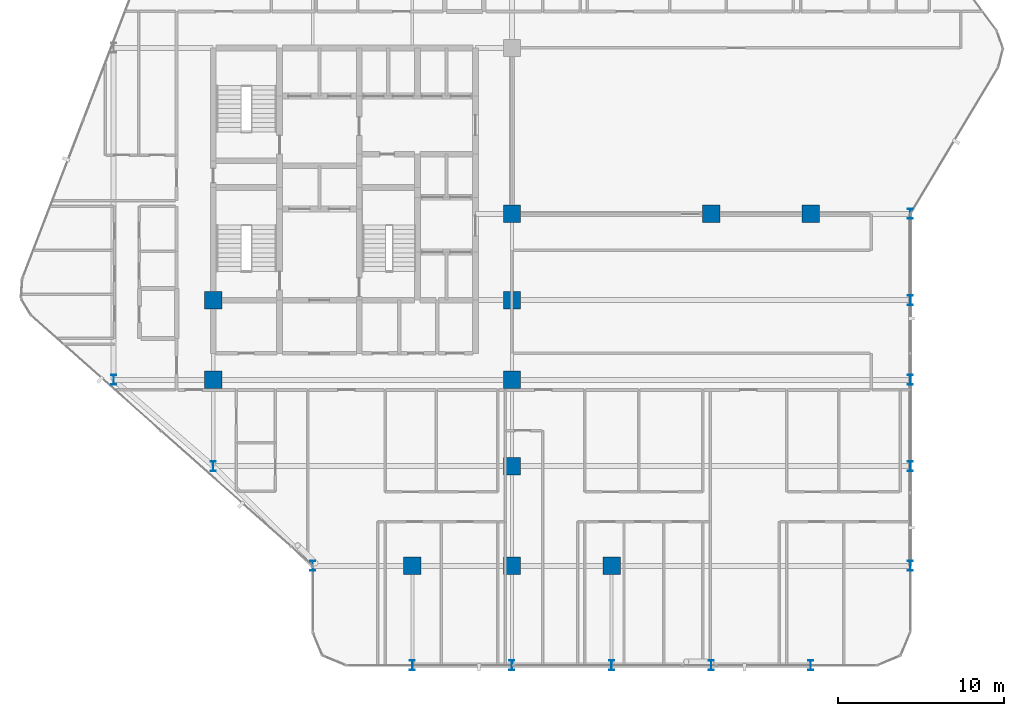
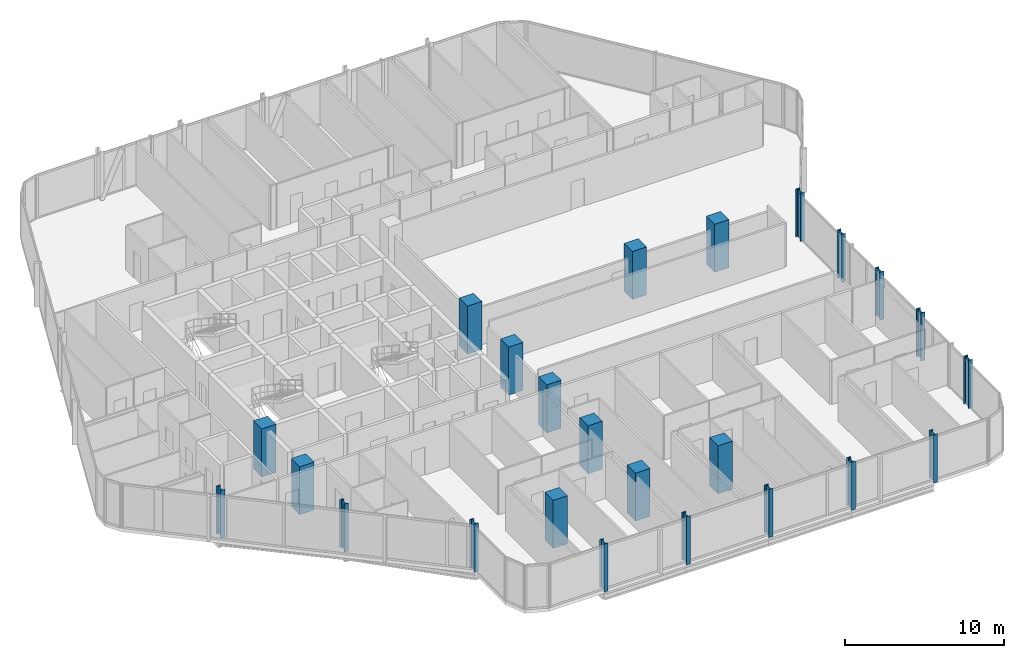
# One storey, part 1 of 29: 24 columns.
"""IFC4 building model written with IfcOpenShell, lengths in metres."""

from ifc_helpers import new_model, si_unit, direction, frame, origin, origin_2d, place, context, subcontext, project, spatial, rectangle, i_section, extrude, material, material_profile, profile_set, type_object, element, save


model = new_model("IFC4")

# Units and contexts
model_context = context("Model", 3, precision=1e-05, world=origin(), true_north=direction((0.0, 1.0)))
body_context = subcontext(model_context, "Body", "Model", "MODEL_VIEW")
ifc_project = project(units=[si_unit("LENGTHUNIT", "METRE"), si_unit("AREAUNIT", "SQUARE_METRE"), si_unit("VOLUMEUNIT", "CUBIC_METRE"), si_unit("PLANEANGLEUNIT", "RADIAN"), si_unit("MASSUNIT", "GRAM", prefix="KILO")], contexts=[model_context])

# Site, building, storey
site_placement = place(None, origin())
site = spatial("IfcSite", under=ifc_project, at=site_placement, CompositionType="ELEMENT")
building_placement = place(site_placement, origin())
building = spatial("IfcBuilding", under=site, at=building_placement, Name="Keshet Zoharim Tower", CompositionType="ELEMENT")
storey_placement = place(building_placement, frame((0.0, 0.0, 102.0)))
storey = spatial("IfcBuildingStorey", under=building, at=storey_placement, Name="L24", CompositionType="ELEMENT", Elevation=102.0)

# Columns
ifc_material_1 = material(Name="Steel S355", Category="steel")
ifc_material_profile_1 = material_profile(ifc_material_1, i_section(OverallWidth=0.300048828125, OverallDepth=0.60009765625, WebThickness=0.015380859375, FlangeThickness=0.030029296875, FilletRadius=0.027099609375, at=origin_2d()), Name="HEB600")
ifc_profile_set_1 = profile_set([ifc_material_profile_1], Name="Steel S355")
column_type_1 = type_object("IfcColumnType", Name="COL-HEB600", PredefinedType="COLUMN", material=ifc_profile_set_1)
for number, where, z_axis, x_axis, name in (
    (1, (9.0, 17.89990234375, 0.0), (0.0, 0.0, 1.0), (1.0, 0.0, 0.0), "L24 Column 2D"),
    (2, (15.0, 12.699951171875, 0.0), (0.0, 0.0, 1.0), (1.0, 0.0, 0.0), "L24 Column 3C"),
    (3, (21.0, 6.699951171875, 0.0), (0.0, 0.0, 1.0), (1.0, 0.0, 0.0), "L24 Column 4B"),
    (4, (27.0, 0.699951171875, 0.0), (0.0, 0.0, 1.0), (1.0, 0.0, 0.0), "L24 Column 5A"),
    (5, (33.0, 0.699951171875, 0.0), (0.0, 0.0, 1.0), (1.0, 0.0, 0.0), "L24 Column 6A"),
    (6, (39.0, 0.699951171875, 0.0), (0.0, 0.0, 1.0), (1.0, 0.0, 0.0), "L24 Column 7A"),
    (7, (45.0, 0.699951171875, 0.0), (0.0, 0.0, 1.0), (1.0, 0.0, 0.0), "L24 Column 8A"),
    (8, (51.0, 0.699951171875, 0.0), (0.0, 0.0, 1.0), (1.0, 0.0, 0.0), "L24 Column 9A"),
    (9, (57.0, 6.699951171875, 0.0), (0.0, 0.0, 1.0), (1.0, 0.0, 0.0), "L24 Column 10B"),
    (10, (57.0, 12.699951171875, 0.0), (0.0, 0.0, 1.0), (1.0, 0.0, 0.0), "L24 Column 10C"),
    (11, (57.0, 17.89990234375, 0.0), (0.0, 0.0, 1.0), (1.0, 0.0, 0.0), "L24 Column 10D"),
    (12, (57.0, 22.699951171875, 0.0), (0.0, 0.0, 1.0), (1.0, 0.0, 0.0), "L24 Column 10E"),
    (13, (57.0, 27.89990234375, 0.0), (0.0, 0.0, 1.0), (1.0, 0.0, 0.0), "L24 Column 10F"),
):
    element("IfcColumn", number, at=place(storey_placement, frame(where, z_axis=z_axis, x_axis=x_axis)), inside=storey, type_object=column_type_1, Name=name, PredefinedType="COLUMN", context=body_context, shape_type="SweptSolid", body=[
        extrude(i_section(OverallWidth=0.300048828125, OverallDepth=0.60009765625, WebThickness=0.015380859375, FlangeThickness=0.030029296875, FilletRadius=0.027099609375, at=origin_2d()), origin(), (0.0, 0.0, 1.0), 3.699951171875),
    ])
ifc_material_2 = material(Name="Concrete C60/75", Category="concrete")
ifc_material_profile_2 = material_profile(ifc_material_2, rectangle(XDim=1.050048828125, YDim=1.050048828125, at=origin_2d()), Name="RC1050x1050")
ifc_profile_set_2 = profile_set([ifc_material_profile_2], Name="Concrete C60/75")
column_type_2 = type_object("IfcColumnType", Name="COL-RC1050", PredefinedType="COLUMN", material=ifc_profile_set_2)
for number, where, z_axis, x_axis, name in (
    (14, (15.0, 17.89990234375, 0.0), (0.0, 0.0, 1.0), (1.0, 0.0, 0.0), "L24 Column 3D"),
    (15, (15.0, 22.699951171875, 0.0), (0.0, 0.0, 1.0), (1.0, 0.0, 0.0), "L24 Column 3E"),
    (16, (27.0, 6.699951171875, 0.0), (0.0, 0.0, 1.0), (1.0, 0.0, 0.0), "L24 Column 5B"),
    (17, (33.0, 6.699951171875, 0.0), (0.0, 0.0, 1.0), (1.0, 0.0, 0.0), "L24 Column 6B"),
    (18, (33.0, 12.699951171875, 0.0), (0.0, 0.0, 1.0), (1.0, 0.0, 0.0), "L24 Column 6C"),
    (19, (33.0, 17.89990234375, 0.0), (0.0, 0.0, 1.0), (1.0, 0.0, 0.0), "L24 Column 6D"),
    (20, (33.0, 22.699951171875, 0.0), (0.0, 0.0, 1.0), (1.0, 0.0, 0.0), "L24 Column 6E"),
    (21, (33.0, 27.89990234375, 0.0), (0.0, 0.0, 1.0), (1.0, 0.0, 0.0), "L24 Column 6F"),
    (22, (39.0, 6.699951171875, 0.0), (0.0, 0.0, 1.0), (1.0, 0.0, 0.0), "L24 Column 7B"),
    (23, (45.0, 27.89990234375, 0.0), (0.0, 0.0, 1.0), (1.0, 0.0, 0.0), "L24 Column 8F"),
    (24, (51.0, 27.89990234375, 0.0), (0.0, 0.0, 1.0), (1.0, 0.0, 0.0), "L24 Column 9F"),
):
    element("IfcColumn", number, at=place(storey_placement, frame(where, z_axis=z_axis, x_axis=x_axis)), inside=storey, type_object=column_type_2, Name=name, PredefinedType="COLUMN", context=body_context, shape_type="SweptSolid", body=[
        extrude(rectangle(XDim=1.050048828125, YDim=1.050048828125, at=origin_2d()), origin(), (0.0, 0.0, 1.0), 3.699951171875),
    ])

save(model, "model.ifc")
